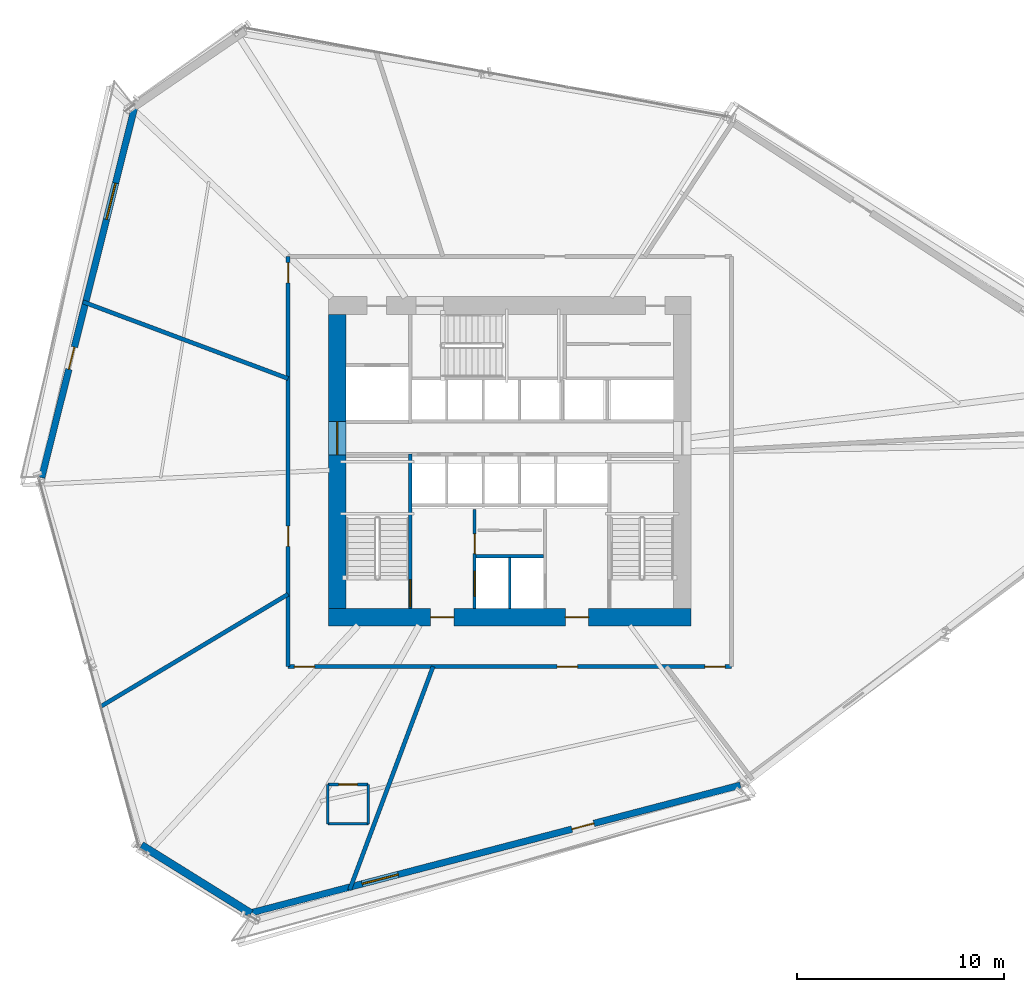
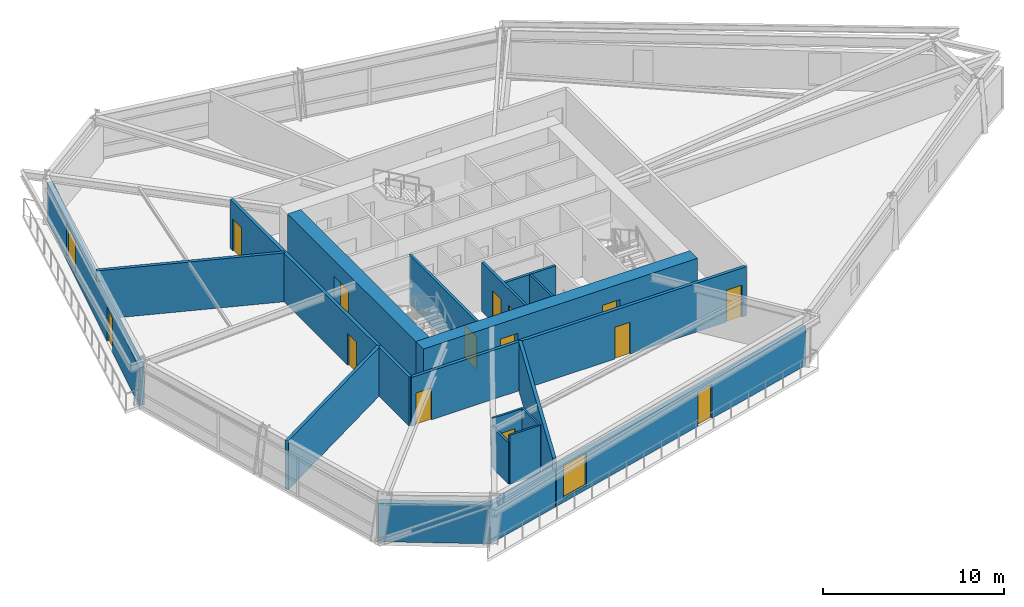
# One storey, part 15 of 20: 18 walls, 14 doors, 2 windows, 16 openings.
"""IFC4 building model written with IfcOpenShell, lengths in metres."""

from ifc_helpers import new_model, si_unit, direction, frame, frame_2d, origin, place, context, subcontext, project, spatial, rectangle, extrude, source, transform, mapped, material, layer, layer_set, type_object, type_shapes, element, fill, save


model = new_model("IFC4")

# Units and contexts
model_context = context("Model", 3, precision=1e-05, world=origin(), true_north=direction((0.0, 1.0)))
body_context = subcontext(model_context, "Body", "Model", "MODEL_VIEW")
ifc_project = project(units=[si_unit("LENGTHUNIT", "METRE"), si_unit("AREAUNIT", "SQUARE_METRE"), si_unit("VOLUMEUNIT", "CUBIC_METRE"), si_unit("PLANEANGLEUNIT", "RADIAN"), si_unit("MASSUNIT", "GRAM", prefix="KILO")], contexts=[model_context])

# Site, building, storey
site_placement = place(None, origin())
site = spatial("IfcSite", under=ifc_project, at=site_placement, CompositionType="ELEMENT")
building_placement = place(site_placement, origin())
building = spatial("IfcBuilding", under=site, at=building_placement, Name="Olszyna Solenne Hotel", CompositionType="ELEMENT")
storey_placement = place(building_placement, frame((0.0, 0.0, 43.5)))
storey = spatial("IfcBuildingStorey", under=building, at=storey_placement, Name="L10", CompositionType="ELEMENT", Elevation=43.5)

# Wall, openings, doors
ifc_material_1 = material(Name="Concrete C60/75", Category="concrete")
ifc_layer_1 = layer(ifc_material_1, 0.85009765625, Name="Concrete C60/75")
ifc_layer_set_1 = layer_set([ifc_layer_1], Name="Concrete C60/75")
wall_type_1 = type_object("IfcWallType", Name="WL-CR850", PredefinedType="SHEAR", material=ifc_layer_set_1)
wall_1_placement = place(storey_placement, frame((46.75, 19.074951171875, 0.0), z_axis=(0.0, 0.0, 1.0), x_axis=(-1.0, 0.0, 0.0)))
wall_1 = element("IfcWall", 1, at=wall_1_placement, inside=storey, type_object=wall_type_1, Name="Core shear wall WL-CR850 CRW-L10-S", PredefinedType="SHEAR", context=body_context, shape_type="SweptSolid", body=[
    extrude(rectangle(XDim=17.5, YDim=0.85009765625, at=frame_2d((8.75, 0.0))), origin(), (0.0, 0.0, 1.0), 3.300048828125),
])
opening_1_placement = place(wall_1_placement, frame((4.949951171875, 0.0, 0.0)))
opening_1 = element("IfcOpeningElement", 2, at=opening_1_placement, cuts=wall_1, Name="Opening FL-L10-1", PredefinedType="OPENING", context=body_context, shape_type="SweptSolid", body=[
    extrude(rectangle(XDim=1.1201171875, YDim=2.25, at=frame_2d((0.56005859375, 1.125))), frame((0.0, 0.43505859375, 0.0), z_axis=(0.0, -1.0, 0.0), x_axis=(1.0, 0.0, 0.0)), (0.0, 0.0, 1.0), 0.8701171875),
])
opening_2_placement = place(wall_1_placement, frame((11.449951171875, 0.0, 0.0)))
opening_2 = element("IfcOpeningElement", 3, at=opening_2_placement, cuts=wall_1, Name="Opening FL-L10-2", PredefinedType="OPENING", context=body_context, shape_type="SweptSolid", body=[
    extrude(rectangle(XDim=1.1201171875, YDim=2.25, at=frame_2d((0.56005859375, 1.125))), frame((0.0, 0.43505859375, 0.0), z_axis=(0.0, -1.0, 0.0), x_axis=(1.0, 0.0, 0.0)), (0.0, 0.0, 1.0), 0.8701171875),
])
ifc_material_2 = material(Name="Steel S355J2", Category="steel")
door_type_1 = type_object("IfcDoorType", Name="DR-FL1", OperationType="NOTDEFINED", PredefinedType="DOOR", material=ifc_material_2)
shared_shape_1 = source(origin(), body_context, "Body", "SweptSolid", [
    extrude(rectangle(XDim=1.1201171875, YDim=2.25, at=frame_2d((0.56005859375, 1.125))), frame((0.0, 0.02490234375, 0.0), z_axis=(0.0, -1.0, 0.0), x_axis=(1.0, 0.0, 0.0)), (0.0, 0.0, 1.0), 0.050048828125),
])
type_shapes(door_type_1, [shared_shape_1])
door_1_placement = place(opening_1_placement, origin())
door_1 = element("IfcDoor", 4, at=door_1_placement, inside=storey, type_object=door_type_1, Name="Firefighting lift lobby smoke door FL-L10-1", OperationType="SINGLE_SWING_LEFT", OverallHeight=2.25, OverallWidth=1.1201171875, PredefinedType="DOOR", context=body_context, shape_type="MappedRepresentation", body=[
    mapped(shared_shape_1, transform((0.0, 0.0, 0.0), x_axis=(1.0, 0.0, 0.0), y_axis=(0.0, 1.0, 0.0), z_axis=(0.0, 0.0, 1.0), scale=1.0)),
])
fill(opening_1, door_1)
door_2_placement = place(opening_2_placement, origin())
door_2 = element("IfcDoor", 5, at=door_2_placement, inside=storey, type_object=door_type_1, Name="Firefighting lift lobby smoke door FL-L10-2", OperationType="SINGLE_SWING_RIGHT", OverallHeight=2.25, OverallWidth=1.1201171875, PredefinedType="DOOR", context=body_context, shape_type="MappedRepresentation", body=[
    mapped(shared_shape_1, transform((0.0, 0.0, 0.0), x_axis=(1.0, 0.0, 0.0), y_axis=(0.0, 1.0, 0.0), z_axis=(0.0, 0.0, 1.0), scale=1.0)),
])
fill(opening_2, door_2)

# Wall, opening, door
wall_2_placement = place(storey_placement, frame((29.675048828125, 19.5, 0.0), z_axis=(0.0, 0.0, 1.0), x_axis=(0.0, 1.0, 0.0)))
wall_2 = element("IfcWall", 6, at=wall_2_placement, inside=storey, type_object=wall_type_1, Name="Core shear wall WL-CR850 CRW-L10-W", PredefinedType="SHEAR", context=body_context, shape_type="SweptSolid", body=[
    extrude(rectangle(XDim=14.199951171875, YDim=0.85009765625, at=frame_2d((7.10009765625, 0.0))), origin(), (0.0, 0.0, 1.0), 3.300048828125),
])
opening_3_placement = place(wall_2_placement, frame((7.419921875, 0.0, 0.0)))
opening_3 = element("IfcOpeningElement", 7, at=opening_3_placement, cuts=wall_2, Name="Opening LHD-L10-W", PredefinedType="OPENING", context=body_context, shape_type="SweptSolid", body=[
    extrude(rectangle(XDim=1.60009765625, YDim=2.199951171875, at=frame_2d((0.800048828125, 1.10009765625))), frame((0.0, 0.43505859375, 0.0), z_axis=(0.0, -1.0, 0.0), x_axis=(1.0, 0.0, 0.0)), (0.0, 0.0, 1.0), 0.8701171875),
])
ifc_material_3 = material(Name="Timber hardwood", Category="wood")
door_type_2 = type_object("IfcDoorType", Name="DR-CR1", OperationType="DOUBLE_DOOR_SINGLE_SWING", PredefinedType="DOOR", material=ifc_material_3)
shared_shape_2 = source(origin(), body_context, "Body", "SweptSolid", [
    extrude(rectangle(XDim=1.60009765625, YDim=2.199951171875, at=frame_2d((0.800048828125, 1.10009765625))), frame((0.0, 0.02490234375, 0.0), z_axis=(0.0, -1.0, 0.0), x_axis=(1.0, 0.0, 0.0)), (0.0, 0.0, 1.0), 0.050048828125),
])
type_shapes(door_type_2, [shared_shape_2])
door_3_placement = place(opening_3_placement, origin())
door_3 = element("IfcDoor", 8, at=door_3_placement, inside=storey, type_object=door_type_2, Name="Passenger lift lobby West fire door LHD-L10-W", OperationType="DOUBLE_DOOR_SINGLE_SWING", OverallHeight=2.199951171875, OverallWidth=1.60009765625, PredefinedType="DOOR", context=body_context, shape_type="MappedRepresentation", body=[
    mapped(shared_shape_2, transform((0.0, 0.0, 0.0), x_axis=(1.0, 0.0, 0.0), y_axis=(0.0, 1.0, 0.0), z_axis=(0.0, 0.0, 1.0), scale=1.0)),
])
fill(opening_3, door_3)

# Wall, openings, door, window
ifc_material_4 = material(Name="Precast concrete C45/55", Category="concrete")
ifc_layer_2 = layer(ifc_material_4, 0.320068359375, Name="Precast concrete C45/55")
ifc_layer_set_2 = layer_set([ifc_layer_2], Name="Precast concrete C45/55")
wall_type_2 = type_object("IfcWallType", Name="WL-EX320", PredefinedType="SOLIDWALL", material=ifc_layer_set_2)
wall_3_placement = place(storey_placement, frame((49.134033203125, 10.972412109375, 0.0), z_axis=(0.0, 0.0, 1.0), x_axis=(-0.967626668542, -0.252385875847, 0.0)))
wall_3 = element("IfcWall", 9, at=wall_3_placement, inside=storey, type_object=wall_type_2, Name="Exterior terracotta-precast frame wall WL-EX320 EW-L10-01", PredefinedType="SOLIDWALL", context=body_context, shape_type="SweptSolid", body=[
    extrude(rectangle(XDim=24.5556640625, YDim=0.320068359375, at=frame_2d((12.27783203125, 0.0))), origin(), (0.0, 0.0, 1.0), 2.592041015625),
])
opening_4_placement = place(wall_3_placement, frame((7.30810546875, 0.0, 0.0)))
opening_4 = element("IfcOpeningElement", 10, at=opening_4_placement, cuts=wall_3, Name="Opening LDG-L10-3", PredefinedType="OPENING", context=body_context, shape_type="SweptSolid", body=[
    extrude(rectangle(XDim=1.10009765625, YDim=2.300048828125, at=frame_2d((0.550048828125, 1.14990234375))), frame((0.0, 0.169921875, 0.0), z_axis=(0.0, -1.0, 0.0), x_axis=(1.0, 0.0, 0.0)), (0.0, 0.0, 1.0), 0.340087890625),
])
opening_5_placement = place(wall_3_placement, frame((17.071044921875, 0.0, 0.27197265625)))
opening_5 = element("IfcOpeningElement", 11, at=opening_5_placement, cuts=wall_3, Name="Opening WN-L10-041", PredefinedType="OPENING", context=body_context, shape_type="SweptSolid", body=[
    extrude(rectangle(XDim=1.800048828125, YDim=2.199951171875, at=frame_2d((0.89990234375, 1.10009765625))), frame((0.0, 0.169921875, 0.0), z_axis=(0.0, -1.0, 0.0), x_axis=(1.0, 0.0, 0.0)), (0.0, 0.0, 1.0), 0.340087890625),
])
ifc_material_5 = material(Name="Anodised bronze aluminium", Category="aluminium")
door_type_3 = type_object("IfcDoorType", Name="DR-LG1", OperationType="NOTDEFINED", PredefinedType="DOOR", material=ifc_material_5)
shared_shape_3 = source(origin(), body_context, "Body", "SweptSolid", [
    extrude(rectangle(XDim=1.10009765625, YDim=2.300048828125, at=frame_2d((0.550048828125, 1.14990234375))), frame((0.0, 0.02490234375, 0.0), z_axis=(0.0, -1.0, 0.0), x_axis=(1.0, 0.0, 0.0)), (0.0, 0.0, 1.0), 0.050048828125),
])
type_shapes(door_type_3, [shared_shape_3])
door_4_placement = place(opening_4_placement, origin())
door_4 = element("IfcDoor", 12, at=door_4_placement, inside=storey, type_object=door_type_3, Name="Exterior loggia balcony door DR-LG1 LDG-L10-3", OperationType="SINGLE_SWING_RIGHT", OverallHeight=2.300048828125, OverallWidth=1.10009765625, PredefinedType="DOOR", context=body_context, shape_type="MappedRepresentation", body=[
    mapped(shared_shape_3, transform((0.0, 0.0, 0.0), x_axis=(1.0, 0.0, 0.0), y_axis=(0.0, 1.0, 0.0), z_axis=(0.0, 0.0, 1.0), scale=1.0)),
])
fill(opening_4, door_4)
ifc_material_6 = material(Name="Low-E triple glazing", Category="glass")
window_type = type_object("IfcWindowType", Name="WN-HT1", PartitioningType="SINGLE_PANEL", PredefinedType="WINDOW", material=ifc_material_6)
shared_shape_4 = source(origin(), body_context, "Body", "SweptSolid", [
    extrude(rectangle(XDim=1.800048828125, YDim=2.199951171875, at=frame_2d((0.89990234375, 1.10009765625))), frame((0.0, 0.030029296875, 0.0), z_axis=(0.0, -1.0, 0.0), x_axis=(1.0, 0.0, 0.0)), (0.0, 0.0, 1.0), 0.06005859375),
])
type_shapes(window_type, [shared_shape_4])
window_1_placement = place(opening_5_placement, origin())
window_1 = element("IfcWindow", 13, at=window_1_placement, inside=storey, type_object=window_type, Name="Loggia room window WN-HT1 WN-L10-041", OverallHeight=2.199951171875, OverallWidth=1.800048828125, PartitioningType="SINGLE_PANEL", PredefinedType="WINDOW", context=body_context, shape_type="MappedRepresentation", body=[
    mapped(shared_shape_4, transform((0.0, 0.0, 0.0), x_axis=(1.0, 0.0, 0.0), y_axis=(0.0, 1.0, 0.0), z_axis=(0.0, 0.0, 1.0), scale=1.0)),
])
fill(opening_5, window_1)

wall_4_placement = place(storey_placement, frame((15.40478515625, 25.815673828125, 0.0), z_axis=(0.0, 0.0, 1.0), x_axis=(0.243422395621, 0.969920376789, 0.0)))
wall_4 = element("IfcWall", 14, at=wall_4_placement, inside=storey, type_object=wall_type_2, Name="Exterior terracotta-precast frame wall WL-EX320 EW-L10-04", PredefinedType="SOLIDWALL", context=body_context, shape_type="SweptSolid", body=[
    extrude(rectangle(XDim=18.589599609375, YDim=0.320068359375, at=frame_2d((9.294921875, 0.0))), origin(), (0.0, 0.0, 1.0), 2.592041015625),
])
opening_6_placement = place(wall_4_placement, frame((5.39892578125, 0.0, 0.0)))
opening_6 = element("IfcOpeningElement", 15, at=opening_6_placement, cuts=wall_4, Name="Opening LDG-L10-2", PredefinedType="OPENING", context=body_context, shape_type="SweptSolid", body=[
    extrude(rectangle(XDim=1.10009765625, YDim=2.300048828125, at=frame_2d((0.550048828125, 1.14990234375))), frame((0.0, 0.169921875, 0.0), z_axis=(0.0, -1.0, 0.0), x_axis=(1.0, 0.0, 0.0)), (0.0, 0.0, 1.0), 0.340087890625),
])
opening_7_placement = place(wall_4_placement, frame((12.85595703125, 0.0, 0.27197265625)))
opening_7 = element("IfcOpeningElement", 16, at=opening_7_placement, cuts=wall_4, Name="Opening WN-L10-042", PredefinedType="OPENING", context=body_context, shape_type="SweptSolid", body=[
    extrude(rectangle(XDim=1.800048828125, YDim=2.199951171875, at=frame_2d((0.89990234375, 1.10009765625))), frame((0.0, 0.169921875, 0.0), z_axis=(0.0, -1.0, 0.0), x_axis=(1.0, 0.0, 0.0)), (0.0, 0.0, 1.0), 0.340087890625),
])
door_5_placement = place(opening_6_placement, origin())
door_5 = element("IfcDoor", 17, at=door_5_placement, inside=storey, type_object=door_type_3, Name="Exterior loggia balcony door DR-LG1 LDG-L10-2", OperationType="SINGLE_SWING_LEFT", OverallHeight=2.300048828125, OverallWidth=1.10009765625, PredefinedType="DOOR", context=body_context, shape_type="MappedRepresentation", body=[
    mapped(shared_shape_3, transform((0.0, 0.0, 0.0), x_axis=(1.0, 0.0, 0.0), y_axis=(0.0, 1.0, 0.0), z_axis=(0.0, 0.0, 1.0), scale=1.0)),
])
fill(opening_6, door_5)
window_2_placement = place(opening_7_placement, origin())
window_2 = element("IfcWindow", 18, at=window_2_placement, inside=storey, type_object=window_type, Name="Loggia room window WN-HT1 WN-L10-042", OverallHeight=2.199951171875, OverallWidth=1.800048828125, PartitioningType="SINGLE_PANEL", PredefinedType="WINDOW", context=body_context, shape_type="MappedRepresentation", body=[
    mapped(shared_shape_4, transform((0.0, 0.0, 0.0), x_axis=(1.0, 0.0, 0.0), y_axis=(0.0, 1.0, 0.0), z_axis=(0.0, 0.0, 1.0), scale=1.0)),
])
fill(opening_7, window_2)

# Walls
ifc_material_7 = material(Name="Terracotta cladding on precast concrete C45/55", Category="masonry")
ifc_layer_3 = layer(ifc_material_7, 0.3798828125, Name="Terracotta cladding on precast concrete C45/55")
ifc_layer_set_3 = layer_set([ifc_layer_3], Name="Terracotta cladding on precast concrete C45/55")
wall_type_3 = type_object("IfcWallType", Name="WL-EX380", PredefinedType="SOLIDWALL", material=ifc_layer_set_3)
wall_5_placement = place(storey_placement, frame((25.51416015625, 4.78125, 0.0), z_axis=(0.0, 0.0, 1.0), x_axis=(-0.848982430353, 0.528421075424, 0.0)))
element("IfcWall", 19, at=wall_5_placement, inside=storey, type_object=wall_type_3, Name="Exterior terracotta-precast frame wall WL-EX380 EW-L10-02", PredefinedType="SOLIDWALL", context=body_context, shape_type="SweptSolid", body=[
    extrude(rectangle(XDim=6.234375, YDim=0.3798828125, at=frame_2d((3.1171875, 0.0))), origin(), (0.0, 0.0, 1.0), 2.592041015625),
])
ifc_material_8 = material(Name="Acoustic gypsum partition", Category="gypsum")
ifc_layer_4 = layer(ifc_material_8, 0.125, Name="Acoustic gypsum partition")
ifc_layer_set_4 = layer_set([ifc_layer_4], Name="Acoustic gypsum partition")
wall_type_4 = type_object("IfcWallType", Name="WL-PT125", PredefinedType="PARTITIONING", material=ifc_layer_set_4)
wall_6_placement = place(storey_placement, frame((38.0, 19.5, 0.0), z_axis=(0.0, 0.0, 1.0), x_axis=(0.0, 1.0, 0.0)))
element("IfcWall", 20, at=wall_6_placement, inside=storey, type_object=wall_type_4, Name="Core shaft compartment wall CW-L10-FFM", PredefinedType="PARTITIONING", context=body_context, shape_type="SweptSolid", body=[
    extrude(rectangle(XDim=2.4599609375, YDim=0.125, at=frame_2d((1.22998046875, 0.0))), origin(), (0.0, 0.0, 1.0), 3.300048828125),
])
wall_7_placement = place(storey_placement, frame((31.1689453125, 9.10693359375, 0.0), z_axis=(0.0, 0.0, 1.0), x_axis=(0.0, 1.0, 0.0)))
element("IfcWall", 21, at=wall_7_placement, inside=storey, type_object=wall_type_4, Name="Interior acoustic partition WL-PT125 PW-L10-0556", PredefinedType="PARTITIONING", context=body_context, shape_type="SweptSolid", body=[
    extrude(rectangle(XDim=1.900146484375, YDim=0.125, at=frame_2d((0.9501953125, 0.0))), origin(), (0.0, 0.0, 1.0), 3.300048828125),
])

# Wall, opening, door
wall_8_placement = place(storey_placement, frame((31.1689453125, 11.007080078125, 0.0), z_axis=(0.0, 0.0, 1.0), x_axis=(-1.0, 0.0, 0.0)))
wall_8 = element("IfcWall", 22, at=wall_8_placement, inside=storey, type_object=wall_type_4, Name="Interior acoustic partition WL-PT125 PW-L10-0557", PredefinedType="PARTITIONING", context=body_context, shape_type="SweptSolid", body=[
    extrude(rectangle(XDim=1.949951171875, YDim=0.125, at=frame_2d((0.97509765625, 0.0))), origin(), (0.0, 0.0, 1.0), 3.300048828125),
])
opening_8_placement = place(wall_8_placement, frame((0.52490234375, 0.0, 0.0)))
opening_8 = element("IfcOpeningElement", 23, at=opening_8_placement, cuts=wall_8, Name="Opening DR-L10-0118", PredefinedType="OPENING", context=body_context, shape_type="SweptSolid", body=[
    extrude(rectangle(XDim=0.89990234375, YDim=2.10009765625, at=frame_2d((0.449951171875, 1.050048828125))), frame((0.0, 0.072509765625, 0.0), z_axis=(0.0, -1.0, 0.0), x_axis=(1.0, 0.0, 0.0)), (0.0, 0.0, 1.0), 0.14501953125),
])
door_type_4 = type_object("IfcDoorType", Name="DR-WC1", OperationType="NOTDEFINED", PredefinedType="DOOR", material=ifc_material_3)
shared_shape_5 = source(origin(), body_context, "Body", "SweptSolid", [
    extrude(rectangle(XDim=0.89990234375, YDim=2.10009765625, at=frame_2d((0.449951171875, 1.050048828125))), frame((0.0, 0.02490234375, 0.0), z_axis=(0.0, -1.0, 0.0), x_axis=(1.0, 0.0, 0.0)), (0.0, 0.0, 1.0), 0.050048828125),
])
type_shapes(door_type_4, [shared_shape_5])
door_6_placement = place(opening_8_placement, origin())
door_6 = element("IfcDoor", 24, at=door_6_placement, inside=storey, type_object=door_type_4, Name="En-Suite Bathroom Door DR-L10-0118", OperationType="SINGLE_SWING_RIGHT", OverallHeight=2.10009765625, OverallWidth=0.89990234375, PredefinedType="DOOR", context=body_context, shape_type="MappedRepresentation", body=[
    mapped(shared_shape_5, transform((0.0, 0.0, 0.0), x_axis=(1.0, 0.0, 0.0), y_axis=(0.0, 1.0, 0.0), z_axis=(0.0, 0.0, 1.0), scale=1.0)),
])
fill(opening_8, door_6)

# Walls
wall_9_placement = place(storey_placement, frame((29.218994140625, 11.007080078125, 0.0), z_axis=(0.0, 0.0, 1.0), x_axis=(0.0, -1.0, 0.0)))
element("IfcWall", 25, at=wall_9_placement, inside=storey, type_object=wall_type_4, Name="Interior acoustic partition WL-PT125 PW-L10-0558", PredefinedType="PARTITIONING", context=body_context, shape_type="SweptSolid", body=[
    extrude(rectangle(XDim=1.900146484375, YDim=0.125, at=frame_2d((0.9501953125, 0.0))), origin(), (0.0, 0.0, 1.0), 2.794921875),
])
wall_10_placement = place(storey_placement, frame((29.218994140625, 9.10693359375, 0.0), z_axis=(0.0, 0.0, 1.0), x_axis=(1.0, 0.0, 0.0)))
element("IfcWall", 26, at=wall_10_placement, inside=storey, type_object=wall_type_4, Name="Interior acoustic partition WL-PT125 PW-L10-0559", PredefinedType="PARTITIONING", context=body_context, shape_type="SweptSolid", body=[
    extrude(rectangle(XDim=1.949951171875, YDim=0.125, at=frame_2d((0.97509765625, 0.0))), origin(), (0.0, 0.0, 1.0), 3.300048828125),
])

# Wall, opening, door
ifc_layer_5 = layer(ifc_material_8, 0.159912109375, Name="Acoustic gypsum partition")
ifc_layer_set_5 = layer_set([ifc_layer_5], Name="Acoustic gypsum partition")
wall_type_5 = type_object("IfcWallType", Name="WL-PT160", PredefinedType="PARTITIONING", material=ifc_layer_set_5)
wall_11_placement = place(storey_placement, frame((33.199951171875, 19.5, 0.0), z_axis=(0.0, 0.0, 1.0), x_axis=(0.0, 1.0, 0.0)))
wall_11 = element("IfcWall", 27, at=wall_11_placement, inside=storey, type_object=wall_type_5, Name="Core shaft compartment wall CW-L10-ST1E", PredefinedType="PARTITIONING", context=body_context, shape_type="SweptSolid", body=[
    extrude(rectangle(XDim=7.4599609375, YDim=0.159912109375, at=frame_2d((3.72998046875, 0.0))), origin(), (0.0, 0.0, 1.0), 3.300048828125),
])
opening_9_placement = place(wall_11_placement, frame((0.080078125, 0.0, 0.0)))
opening_9 = element("IfcOpeningElement", 28, at=opening_9_placement, cuts=wall_11, Name="Opening STD-L10-01", PredefinedType="OPENING", context=body_context, shape_type="SweptSolid", body=[
    extrude(rectangle(XDim=1.320068359375, YDim=2.199951171875, at=frame_2d((0.66015625, 1.10009765625))), frame((0.0, 0.08984375, 0.0), z_axis=(0.0, -1.0, 0.0), x_axis=(1.0, 0.0, 0.0)), (0.0, 0.0, 1.0), 0.179931640625),
])
door_type_5 = type_object("IfcDoorType", Name="DR-ST1", OperationType="NOTDEFINED", PredefinedType="DOOR", material=ifc_material_2)
shared_shape_6 = source(origin(), body_context, "Body", "SweptSolid", [
    extrude(rectangle(XDim=1.320068359375, YDim=2.199951171875, at=frame_2d((0.66015625, 1.10009765625))), frame((0.0, 0.02490234375, 0.0), z_axis=(0.0, -1.0, 0.0), x_axis=(1.0, 0.0, 0.0)), (0.0, 0.0, 1.0), 0.050048828125),
])
type_shapes(door_type_5, [shared_shape_6])
door_7_placement = place(opening_9_placement, origin())
door_7 = element("IfcDoor", 29, at=door_7_placement, inside=storey, type_object=door_type_5, Name="Pressurised exit stair ST1 fire door STD-L10-01", OperationType="SINGLE_SWING_LEFT", OverallHeight=2.199951171875, OverallWidth=1.320068359375, PredefinedType="DOOR", context=body_context, shape_type="MappedRepresentation", body=[
    mapped(shared_shape_6, transform((0.0, 0.0, 0.0), x_axis=(1.0, 0.0, 0.0), y_axis=(0.0, 1.0, 0.0), z_axis=(0.0, 0.0, 1.0), scale=1.0)),
])
fill(opening_9, door_7)

# Wall, openings, doors
wall_12_placement = place(storey_placement, frame((36.300048828125, 19.5, 0.0), z_axis=(0.0, 0.0, 1.0), x_axis=(0.0, 1.0, 0.0)))
wall_12 = element("IfcWall", 30, at=wall_12_placement, inside=storey, type_object=wall_type_5, Name="Core shaft compartment wall CW-L10-FF1W", PredefinedType="PARTITIONING", context=body_context, shape_type="SweptSolid", body=[
    extrude(rectangle(XDim=4.780029296875, YDim=0.159912109375, at=frame_2d((2.39013671875, 0.0))), origin(), (0.0, 0.0, 1.0), 3.300048828125),
])
opening_10_placement = place(wall_12_placement, frame((0.60009765625, 0.0, 0.0)))
opening_10 = element("IfcOpeningElement", 31, at=opening_10_placement, cuts=wall_12, Name="Opening LD-L10-FF1", PredefinedType="OPENING", context=body_context, shape_type="SweptSolid", body=[
    extrude(rectangle(XDim=1.199951171875, YDim=2.199951171875, at=frame_2d((0.60009765625, 1.10009765625))), frame((0.0, 0.08984375, 0.0), z_axis=(0.0, -1.0, 0.0), x_axis=(1.0, 0.0, 0.0)), (0.0, 0.0, 1.0), 0.179931640625),
])
opening_11_placement = place(wall_12_placement, frame((2.64990234375, 0.0, 0.0)))
opening_11 = element("IfcOpeningElement", 32, at=opening_11_placement, cuts=wall_12, Name="Opening SVD-L10-SMK", PredefinedType="OPENING", context=body_context, shape_type="SweptSolid", body=[
    extrude(rectangle(XDim=0.949951171875, YDim=2.10009765625, at=frame_2d((0.47509765625, 1.050048828125))), frame((0.0, 0.08984375, 0.0), z_axis=(0.0, -1.0, 0.0), x_axis=(1.0, 0.0, 0.0)), (0.0, 0.0, 1.0), 0.179931640625),
])
door_type_6 = type_object("IfcDoorType", Name="DR-SV1", OperationType="NOTDEFINED", PredefinedType="DOOR", material=ifc_material_2)
shared_shape_7 = source(origin(), body_context, "Body", "SweptSolid", [
    extrude(rectangle(XDim=0.949951171875, YDim=2.10009765625, at=frame_2d((0.47509765625, 1.050048828125))), frame((0.0, 0.02490234375, 0.0), z_axis=(0.0, -1.0, 0.0), x_axis=(1.0, 0.0, 0.0)), (0.0, 0.0, 1.0), 0.050048828125),
])
type_shapes(door_type_6, [shared_shape_7])
door_8_placement = place(opening_11_placement, origin())
door_8 = element("IfcDoor", 33, at=door_8_placement, inside=storey, type_object=door_type_6, Name="Valet and core service room door SVD-L10-SMK", OperationType="SINGLE_SWING_LEFT", OverallHeight=2.10009765625, OverallWidth=0.949951171875, PredefinedType="DOOR", context=body_context, shape_type="MappedRepresentation", body=[
    mapped(shared_shape_7, transform((0.0, 0.0, 0.0), x_axis=(1.0, 0.0, 0.0), y_axis=(0.0, 1.0, 0.0), z_axis=(0.0, 0.0, 1.0), scale=1.0)),
])
fill(opening_11, door_8)
door_type_7 = type_object("IfcDoorType", Name="LD-FF1", OperationType="DOUBLE_DOOR_SLIDING", PredefinedType="DOOR", material=ifc_material_2)
shared_shape_8 = source(origin(), body_context, "Body", "SweptSolid", [
    extrude(rectangle(XDim=1.199951171875, YDim=2.199951171875, at=frame_2d((0.60009765625, 1.10009765625))), frame((0.0, 0.02490234375, 0.0), z_axis=(0.0, -1.0, 0.0), x_axis=(1.0, 0.0, 0.0)), (0.0, 0.0, 1.0), 0.050048828125),
])
type_shapes(door_type_7, [shared_shape_8])
door_9_placement = place(opening_10_placement, origin())
door_9 = element("IfcDoor", 34, at=door_9_placement, inside=storey, type_object=door_type_7, Name="Firefighters lift FF1 sliding landing door LD-L10-FF1", OperationType="DOUBLE_DOOR_SLIDING", OverallHeight=2.199951171875, OverallWidth=1.199951171875, PredefinedType="DOOR", context=body_context, shape_type="MappedRepresentation", body=[
    mapped(shared_shape_8, transform((0.0, 0.0, 0.0), x_axis=(1.0, 0.0, 0.0), y_axis=(0.0, 1.0, 0.0), z_axis=(0.0, 0.0, 1.0), scale=1.0)),
])
fill(opening_10, door_9)

# Walls
wall_13_placement = place(storey_placement, frame((36.3798828125, 22.02001953125, 0.0), z_axis=(0.0, 0.0, 1.0), x_axis=(1.0, 0.0, 0.0)))
element("IfcWall", 35, at=wall_13_placement, inside=storey, type_object=wall_type_5, Name="Core shaft compartment wall CW-L10-FFN", PredefinedType="PARTITIONING", context=body_context, shape_type="SweptSolid", body=[
    extrude(rectangle(XDim=3.240234375, YDim=0.159912109375, at=frame_2d((1.6201171875, 0.0))), origin(), (0.0, 0.0, 1.0), 3.300048828125),
])
ifc_layer_6 = layer(ifc_material_8, 0.199951171875, Name="Acoustic gypsum partition")
ifc_layer_set_6 = layer_set([ifc_layer_6], Name="Acoustic gypsum partition")
wall_type_6 = type_object("IfcWallType", Name="WL-PT200", PredefinedType="PARTITIONING", material=ifc_layer_set_6)
wall_14_placement = place(storey_placement, frame((34.298583984375, 16.699951171875, 0.0), z_axis=(0.0, 0.0, 1.0), x_axis=(-0.350212246301, -0.936670370269, 0.0)))
element("IfcWall", 36, at=wall_14_placement, inside=storey, type_object=wall_type_6, Name="Interior acoustic partition WL-PT200 PW-L10-0549", PredefinedType="PARTITIONING", context=body_context, shape_type="SweptSolid", body=[
    extrude(rectangle(XDim=11.51220703125, YDim=0.199951171875, at=frame_2d((5.756103515625, 0.0))), origin(), (0.0, 0.0, 1.0), 3.300048828125),
])
wall_15_placement = place(storey_placement, frame((27.300048828125, 30.6005859375, 0.0), z_axis=(0.0, 0.0, 1.0), x_axis=(-0.936674280528, 0.350201787827, 0.0)))
element("IfcWall", 37, at=wall_15_placement, inside=storey, type_object=wall_type_6, Name="Interior acoustic partition WL-PT200 PW-L10-0554", PredefinedType="PARTITIONING", context=body_context, shape_type="SweptSolid", body=[
    extrude(rectangle(XDim=10.568603515625, YDim=0.199951171875, at=frame_2d((5.2841796875, 0.0))), origin(), (0.0, 0.0, 1.0), 3.300048828125),
])
wall_16_placement = place(storey_placement, frame((27.300048828125, 20.18896484375, 0.0), z_axis=(0.0, 0.0, 1.0), x_axis=(-0.857808451078, -0.51396951394, 0.0)))
element("IfcWall", 38, at=wall_16_placement, inside=storey, type_object=wall_type_6, Name="Interior acoustic partition WL-PT200 PW-L10-0555", PredefinedType="PARTITIONING", context=body_context, shape_type="SweptSolid", body=[
    extrude(rectangle(XDim=10.508544921875, YDim=0.199951171875, at=frame_2d((5.25439453125, 0.0))), origin(), (0.0, 0.0, 1.0), 3.300048828125),
])

# Wall, openings, doors
wall_17_placement = place(storey_placement, frame((27.300048828125, 16.699951171875, 0.0), z_axis=(0.0, 0.0, 1.0), x_axis=(1.0, 0.0, 0.0)))
wall_17 = element("IfcWall", 39, at=wall_17_placement, inside=storey, type_object=wall_type_6, Name="Interior acoustic partition WL-PT200 PW-L10-0560", PredefinedType="PARTITIONING", context=body_context, shape_type="SweptSolid", body=[
    extrude(rectangle(XDim=21.39990234375, YDim=0.199951171875, at=frame_2d((10.699951171875, 0.0))), origin(), (0.0, 0.0, 1.0), 3.300048828125),
])
opening_12_placement = place(wall_17_placement, frame((12.989990234375, 0.0, 0.0)))
opening_12 = element("IfcOpeningElement", 40, at=opening_12_placement, cuts=wall_17, Name="Opening DR-L10-0119", PredefinedType="OPENING", context=body_context, shape_type="SweptSolid", body=[
    extrude(rectangle(XDim=0.97998046875, YDim=2.14990234375, at=frame_2d((0.489990234375, 1.074951171875))), frame((0.0, 0.10986328125, 0.0), z_axis=(0.0, -1.0, 0.0), x_axis=(1.0, 0.0, 0.0)), (0.0, 0.0, 1.0), 0.219970703125),
])
opening_13_placement = place(wall_17_placement, frame((20.1201171875, 0.0, 0.0)))
opening_13 = element("IfcOpeningElement", 41, at=opening_13_placement, cuts=wall_17, Name="Opening DR-L10-0120", PredefinedType="OPENING", context=body_context, shape_type="SweptSolid", body=[
    extrude(rectangle(XDim=0.97998046875, YDim=2.14990234375, at=frame_2d((0.489990234375, 1.074951171875))), frame((0.0, 0.10986328125, 0.0), z_axis=(0.0, -1.0, 0.0), x_axis=(1.0, 0.0, 0.0)), (0.0, 0.0, 1.0), 0.219970703125),
])
opening_14_placement = place(wall_17_placement, frame((0.300048828125, 0.0, 0.0)))
opening_14 = element("IfcOpeningElement", 42, at=opening_14_placement, cuts=wall_17, Name="Opening DR-L10-0121", PredefinedType="OPENING", context=body_context, shape_type="SweptSolid", body=[
    extrude(rectangle(XDim=0.97998046875, YDim=2.14990234375, at=frame_2d((0.489990234375, 1.074951171875))), frame((0.0, 0.10986328125, 0.0), z_axis=(0.0, -1.0, 0.0), x_axis=(1.0, 0.0, 0.0)), (0.0, 0.0, 1.0), 0.219970703125),
])
door_type_8 = type_object("IfcDoorType", Name="DR-RM1", OperationType="NOTDEFINED", PredefinedType="DOOR", material=ifc_material_3)
shared_shape_9 = source(origin(), body_context, "Body", "SweptSolid", [
    extrude(rectangle(XDim=0.97998046875, YDim=2.14990234375, at=frame_2d((0.489990234375, 1.074951171875))), frame((0.0, 0.02490234375, 0.0), z_axis=(0.0, -1.0, 0.0), x_axis=(1.0, 0.0, 0.0)), (0.0, 0.0, 1.0), 0.050048828125),
])
type_shapes(door_type_8, [shared_shape_9])
door_10_placement = place(opening_12_placement, origin())
door_10 = element("IfcDoor", 43, at=door_10_placement, inside=storey, type_object=door_type_8, Name="Wellness Spa Studio Entrance Door DR-L10-0119", OperationType="SINGLE_SWING_LEFT", OverallHeight=2.14990234375, OverallWidth=0.97998046875, PredefinedType="DOOR", context=body_context, shape_type="MappedRepresentation", body=[
    mapped(shared_shape_9, transform((0.0, 0.0, 0.0), x_axis=(1.0, 0.0, 0.0), y_axis=(0.0, 1.0, 0.0), z_axis=(0.0, 0.0, 1.0), scale=1.0)),
])
fill(opening_12, door_10)
door_11_placement = place(opening_13_placement, origin())
door_11 = element("IfcDoor", 44, at=door_11_placement, inside=storey, type_object=door_type_8, Name="Wellness Spa Studio Entrance Door DR-L10-0120", OperationType="SINGLE_SWING_RIGHT", OverallHeight=2.14990234375, OverallWidth=0.97998046875, PredefinedType="DOOR", context=body_context, shape_type="MappedRepresentation", body=[
    mapped(shared_shape_9, transform((0.0, 0.0, 0.0), x_axis=(1.0, 0.0, 0.0), y_axis=(0.0, 1.0, 0.0), z_axis=(0.0, 0.0, 1.0), scale=1.0)),
])
fill(opening_13, door_11)
door_12_placement = place(opening_14_placement, origin())
door_12 = element("IfcDoor", 45, at=door_12_placement, inside=storey, type_object=door_type_8, Name="Executive Reading Salon Entrance Door DR-L10-0121", OperationType="SINGLE_SWING_LEFT", OverallHeight=2.14990234375, OverallWidth=0.97998046875, PredefinedType="DOOR", context=body_context, shape_type="MappedRepresentation", body=[
    mapped(shared_shape_9, transform((0.0, 0.0, 0.0), x_axis=(1.0, 0.0, 0.0), y_axis=(0.0, 1.0, 0.0), z_axis=(0.0, 0.0, 1.0), scale=1.0)),
])
fill(opening_14, door_12)

wall_18_placement = place(storey_placement, frame((27.300048828125, 16.699951171875, 0.0), z_axis=(0.0, 0.0, 1.0), x_axis=(0.0, 1.0, 0.0)))
wall_18 = element("IfcWall", 46, at=wall_18_placement, inside=storey, type_object=wall_type_6, Name="Interior acoustic partition WL-PT200 PW-L10-0561", PredefinedType="PARTITIONING", context=body_context, shape_type="SweptSolid", body=[
    extrude(rectangle(XDim=19.800048828125, YDim=0.199951171875, at=frame_2d((9.89990234375, 0.0))), origin(), (0.0, 0.0, 1.0), 3.300048828125),
])
opening_15_placement = place(wall_18_placement, frame((18.52001953125, 0.0, 0.0)))
opening_15 = element("IfcOpeningElement", 47, at=opening_15_placement, cuts=wall_18, Name="Opening DR-L10-0122", PredefinedType="OPENING", context=body_context, shape_type="SweptSolid", body=[
    extrude(rectangle(XDim=0.97998046875, YDim=2.14990234375, at=frame_2d((0.489990234375, 1.074951171875))), frame((0.0, 0.10986328125, 0.0), z_axis=(0.0, -1.0, 0.0), x_axis=(1.0, 0.0, 0.0)), (0.0, 0.0, 1.0), 0.219970703125),
])
opening_16_placement = place(wall_18_placement, frame((5.802978515625, 0.0, 0.0)))
opening_16 = element("IfcOpeningElement", 48, at=opening_16_placement, cuts=wall_18, Name="Opening DR-L10-0123", PredefinedType="OPENING", context=body_context, shape_type="SweptSolid", body=[
    extrude(rectangle(XDim=0.97998046875, YDim=2.14990234375, at=frame_2d((0.489990234375, 1.074951171875))), frame((0.0, 0.10986328125, 0.0), z_axis=(0.0, -1.0, 0.0), x_axis=(1.0, 0.0, 0.0)), (0.0, 0.0, 1.0), 0.219970703125),
])
door_13_placement = place(opening_15_placement, origin())
door_13 = element("IfcDoor", 49, at=door_13_placement, inside=storey, type_object=door_type_8, Name="Sommelier Tasting Lounge Entrance Door DR-L10-0122", OperationType="SINGLE_SWING_LEFT", OverallHeight=2.14990234375, OverallWidth=0.97998046875, PredefinedType="DOOR", context=body_context, shape_type="MappedRepresentation", body=[
    mapped(shared_shape_9, transform((0.0, 0.0, 0.0), x_axis=(1.0, 0.0, 0.0), y_axis=(0.0, 1.0, 0.0), z_axis=(0.0, 0.0, 1.0), scale=1.0)),
])
fill(opening_15, door_13)
door_14_placement = place(opening_16_placement, origin())
door_14 = element("IfcDoor", 50, at=door_14_placement, inside=storey, type_object=door_type_8, Name="Breakfast Tasting Salon Entrance Door DR-L10-0123", OperationType="SINGLE_SWING_RIGHT", OverallHeight=2.14990234375, OverallWidth=0.97998046875, PredefinedType="DOOR", context=body_context, shape_type="MappedRepresentation", body=[
    mapped(shared_shape_9, transform((0.0, 0.0, 0.0), x_axis=(1.0, 0.0, 0.0), y_axis=(0.0, 1.0, 0.0), z_axis=(0.0, 0.0, 1.0), scale=1.0)),
])
fill(opening_16, door_14)

save(model, "model.ifc")
